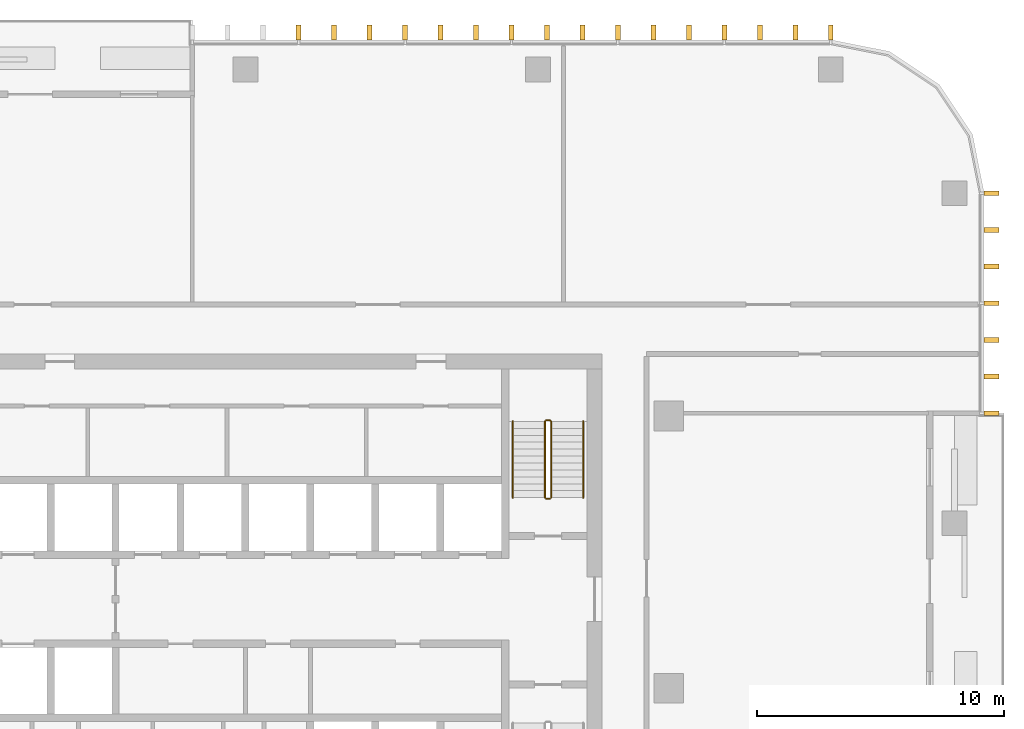
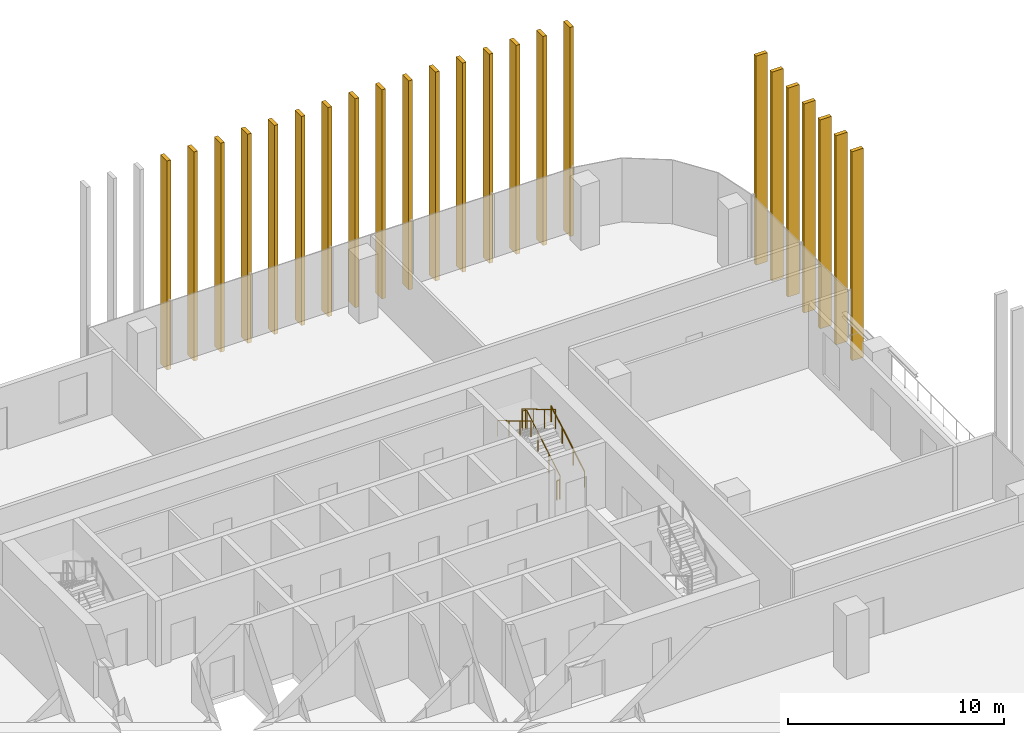
# One storey, part 16 of 16: 23 shading devices, 5 railings.
"""IFC4 building model written with IfcOpenShell, lengths in metres."""

from ifc_helpers import new_model, si_unit, direction, frame, origin, origin_2d, place, context, subcontext, project, spatial, rectangle, circle, extrude, material, type_object, element, save


model = new_model("IFC4")

# Units and contexts
model_context = context("Model", 3, precision=1e-05, world=origin(), true_north=direction((0.0, 1.0)))
body_context = subcontext(model_context, "Body", "Model", "MODEL_VIEW")
ifc_project = project(units=[si_unit("LENGTHUNIT", "METRE"), si_unit("AREAUNIT", "SQUARE_METRE"), si_unit("VOLUMEUNIT", "CUBIC_METRE"), si_unit("PLANEANGLEUNIT", "RADIAN"), si_unit("MASSUNIT", "GRAM", prefix="KILO")], contexts=[model_context])

# Site, building, storey
site_placement = place(None, origin())
site = spatial("IfcSite", under=ifc_project, at=site_placement, CompositionType="ELEMENT")
building_placement = place(site_placement, origin())
building = spatial("IfcBuilding", under=site, at=building_placement, Name="Mopane Tessera Tower", CompositionType="ELEMENT")
storey_placement = place(building_placement, frame((0.0, 0.0, 303.39990234375)))
storey = spatial("IfcBuildingStorey", under=building, at=storey_placement, Name="L66", CompositionType="ELEMENT", Elevation=303.39990234375)

# Shading devices
ifc_material_1 = material(Name="Glazed ceramic tile")
shading_device_type = type_object("IfcShadingDeviceType", Name="Ceramic tile fin 600 x 200 mm", PredefinedType="USERDEFINED", material=ifc_material_1)
for number, where, z_axis, x_axis, name in (
    (1, (30.14990234375, 11.111083984375, -0.39990234375), (0.0, 0.0, 1.0), (0.0, 1.0, 0.0), "e:fin:L66:E:7:0"),
    (2, (30.14990234375, 12.592529296875, -0.39990234375), (0.0, 0.0, 1.0), (0.0, 1.0, 0.0), "e:fin:L66:E:7:1"),
    (3, (30.14990234375, 14.073974609375, -0.39990234375), (0.0, 0.0, 1.0), (0.0, 1.0, 0.0), "e:fin:L66:E:7:2"),
    (4, (30.14990234375, 15.5556640625, -0.39990234375), (0.0, 0.0, 1.0), (0.0, 1.0, 0.0), "e:fin:L66:E:8:0"),
    (5, (30.14990234375, 17.037109375, -0.39990234375), (0.0, 0.0, 1.0), (0.0, 1.0, 0.0), "e:fin:L66:E:8:1"),
    (6, (30.14990234375, 18.5185546875, -0.39990234375), (0.0, 0.0, 1.0), (0.0, 1.0, 0.0), "e:fin:L66:E:8:2"),
    (7, (30.14990234375, 20.0, -0.39990234375), (0.0, 0.0, 1.0), (0.0, 1.0, 0.0), "e:fin:L66:E:8:3"),
    (8, (23.64990234375, 26.5, -0.39990234375), (0.0, 0.0, 1.0), (-1.0, 0.0, 0.0), "e:fin:L66:N:0:0"),
    (9, (22.216552734375, 26.5, -0.39990234375), (0.0, 0.0, 1.0), (-1.0, 0.0, 0.0), "e:fin:L66:N:0:1"),
    (10, (20.783447265625, 26.5, -0.39990234375), (0.0, 0.0, 1.0), (-1.0, 0.0, 0.0), "e:fin:L66:N:0:2"),
    (11, (19.35009765625, 26.5, -0.39990234375), (0.0, 0.0, 1.0), (-1.0, 0.0, 0.0), "e:fin:L66:N:1:0"),
    (12, (17.916748046875, 26.5, -0.39990234375), (0.0, 0.0, 1.0), (-1.0, 0.0, 0.0), "e:fin:L66:N:1:1"),
    (13, (16.4833984375, 26.5, -0.39990234375), (0.0, 0.0, 1.0), (-1.0, 0.0, 0.0), "e:fin:L66:N:1:2"),
    (14, (15.050048828125, 26.5, -0.39990234375), (0.0, 0.0, 1.0), (-1.0, 0.0, 0.0), "e:fin:L66:N:2:0"),
    (15, (13.61669921875, 26.5, -0.39990234375), (0.0, 0.0, 1.0), (-1.0, 0.0, 0.0), "e:fin:L66:N:2:1"),
    (16, (12.183349609375, 26.5, -0.39990234375), (0.0, 0.0, 1.0), (-1.0, 0.0, 0.0), "e:fin:L66:N:2:2"),
    (17, (10.75, 26.5, -0.39990234375), (0.0, 0.0, 1.0), (-1.0, 0.0, 0.0), "e:fin:L66:N:3:0"),
    (18, (9.316650390625, 26.5, -0.39990234375), (0.0, 0.0, 1.0), (-1.0, 0.0, 0.0), "e:fin:L66:N:3:1"),
    (19, (7.88330078125, 26.5, -0.39990234375), (0.0, 0.0, 1.0), (-1.0, 0.0, 0.0), "e:fin:L66:N:3:2"),
    (20, (6.449951171875, 26.5, -0.39990234375), (0.0, 0.0, 1.0), (-1.0, 0.0, 0.0), "e:fin:L66:N:4:0"),
    (21, (5.0166015625, 26.5, -0.39990234375), (0.0, 0.0, 1.0), (-1.0, 0.0, 0.0), "e:fin:L66:N:4:1"),
    (22, (3.583251953125, 26.5, -0.39990234375), (0.0, 0.0, 1.0), (-1.0, 0.0, 0.0), "e:fin:L66:N:4:2"),
    (23, (2.14990234375, 26.5, -0.39990234375), (0.0, 0.0, 1.0), (-1.0, 0.0, 0.0), "e:fin:L66:N:5:0"),
):
    element("IfcShadingDevice", number, at=place(storey_placement, frame(where, z_axis=z_axis, x_axis=x_axis)), inside=storey, type_object=shading_device_type, Name=name, ObjectType="FIN", PredefinedType="USERDEFINED", context=body_context, shape_type="SweptSolid", body=[
        extrude(rectangle(XDim=0.199951171875, YDim=0.60009765625, at=origin_2d()), origin(), (0.0, 0.0, 1.0), 11.800048828125),
    ])

# Railings
ifc_material_2 = material(Name="Powder-coated steel balustrade", Category="steel")
railing_type_1 = type_object("IfcRailingType", Name="Escape stair guard 1100 mm", PredefinedType="GUARDRAIL", material=ifc_material_2)
railing_1_placement = place(storey_placement, frame((12.35009765625, 7.699951171875, 0.166748046875)))
element("IfcRailing", 24, at=railing_1_placement, inside=storey, type_object=railing_type_1, Name="L66 ST4 stair guard 1", PredefinedType="GUARDRAIL", context=body_context, shape_type="SweptSolid", body=[
    extrude(circle(Radius=0.02392578125, at=origin_2d()), frame((0.0, 0.0, 1.076171875), z_axis=(0.0, 0.859308565015, 0.511457515432), x_axis=(-1.0, 0.0, 0.0)), (0.0, 0.0, 1.0), 3.58447265625),
    extrude(circle(Radius=0.02392578125, at=origin_2d()), frame((0.0, 3.080078125, 2.9091796875), z_axis=(-0.707106781187, 0.707106781187, 0.0), x_axis=(-0.707106781187, -0.707106781187, 0.0)), (0.0, 0.0, 1.0), 0.07080078125),
    extrude(circle(Radius=0.02392578125, at=origin_2d()), frame((-0.050048828125, 3.130126953125, 2.9091796875), z_axis=(-1.0, 0.0, 0.0), x_axis=(0.0, -1.0, 0.0)), (0.0, 0.0, 1.0), 0.150146484375),
    extrude(circle(Radius=0.02099609375, at=origin_2d()), origin(), (0.0, 0.0, 1.0), 1.052001953125),
    extrude(circle(Radius=0.02099609375, at=origin_2d()), frame((0.0, 1.026611328125, 0.611083984375)), (0.0, 0.0, 1.0), 1.052001953125),
    extrude(circle(Radius=0.02099609375, at=origin_2d()), frame((0.0, 2.053466796875, 1.22216796875)), (0.0, 0.0, 1.0), 1.052001953125),
    extrude(circle(Radius=0.02099609375, at=origin_2d()), frame((0.0, 3.080078125, 1.833251953125)), (0.0, 0.0, 1.0), 1.052001953125),
    extrude(circle(Radius=0.02099609375, at=origin_2d()), frame((-0.050048828125, 3.130126953125, 1.833251953125)), (0.0, 0.0, 1.0), 1.052001953125),
    extrude(circle(Radius=0.02099609375, at=origin_2d()), frame((-0.2001953125, 3.130126953125, 1.833251953125)), (0.0, 0.0, 1.0), 1.052001953125),
])
railing_2_placement = place(storey_placement, frame((12.10009765625, 10.780029296875, 2.166748046875)))
element("IfcRailing", 25, at=railing_2_placement, inside=storey, type_object=railing_type_1, Name="L66 ST4 stair guard 2", PredefinedType="GUARDRAIL", context=body_context, shape_type="SweptSolid", body=[
    extrude(circle(Radius=0.02392578125, at=origin_2d()), frame((0.0, 0.0, 1.076171875), z_axis=(0.0, -0.859308565015, 0.511457515432), x_axis=(1.0, 0.0, 0.0)), (0.0, 0.0, 1.0), 3.58447265625),
    extrude(circle(Radius=0.02099609375, at=origin_2d()), origin(), (0.0, 0.0, 1.0), 1.052001953125),
    extrude(circle(Radius=0.02099609375, at=origin_2d()), frame((0.0, -1.026611328125, 0.611083984375)), (0.0, 0.0, 1.0), 1.052001953125),
    extrude(circle(Radius=0.02099609375, at=origin_2d()), frame((0.0, -2.053466796875, 1.22216796875)), (0.0, 0.0, 1.0), 1.052001953125),
    extrude(circle(Radius=0.02099609375, at=origin_2d()), frame((0.0, -3.080078125, 1.833251953125)), (0.0, 0.0, 1.0), 1.052001953125),
])
railing_3_placement = place(storey_placement, frame((12.300048828125, 7.64990234375, 0.0)))
element("IfcRailing", 26, at=railing_3_placement, inside=storey, type_object=railing_type_1, Name="L66 ST4 stair guard 3", PredefinedType="GUARDRAIL", context=body_context, shape_type="SweptSolid", body=[
    extrude(circle(Radius=0.02392578125, at=origin_2d()), frame((0.0, 0.0, 1.076171875), z_axis=(-1.0, 0.0, 0.0), x_axis=(0.0, -1.0, 0.0)), (0.0, 0.0, 1.0), 0.150146484375),
    extrude(circle(Radius=0.02099609375, at=origin_2d()), origin(), (0.0, 0.0, 1.0), 1.052001953125),
    extrude(circle(Radius=0.02099609375, at=origin_2d()), frame((-0.150146484375, 0.0, 0.0)), (0.0, 0.0, 1.0), 1.052001953125),
])
ifc_material_3 = material(Name="Powder-coated steel balustrade", Category="steel")
railing_type_2 = type_object("IfcRailingType", Name="Escape stair handrail 900 mm", PredefinedType="HANDRAIL", material=ifc_material_3)
railing_4_placement = place(storey_placement, frame((13.64990234375, 7.699951171875, 0.166748046875)))
element("IfcRailing", 27, at=railing_4_placement, inside=storey, type_object=railing_type_2, Name="L66 ST4 stair handrail 1", PredefinedType="HANDRAIL", context=body_context, shape_type="SweptSolid", body=[
    extrude(circle(Radius=0.02392578125, at=origin_2d()), frame((0.0, 0.0, 0.8759765625), z_axis=(0.0, 0.859308565015, 0.511457515432), x_axis=(-1.0, 0.0, 0.0)), (0.0, 0.0, 1.0), 3.58447265625),
    extrude(circle(Radius=0.02099609375, at=origin_2d()), origin(), (0.0, 0.0, 1.0), 0.851806640625),
    extrude(circle(Radius=0.02099609375, at=origin_2d()), frame((0.0, 1.026611328125, 0.611083984375)), (0.0, 0.0, 1.0), 0.851806640625),
    extrude(circle(Radius=0.02099609375, at=origin_2d()), frame((0.0, 2.053466796875, 1.22216796875)), (0.0, 0.0, 1.0), 0.851806640625),
    extrude(circle(Radius=0.02099609375, at=origin_2d()), frame((0.0, 3.080078125, 1.833251953125)), (0.0, 0.0, 1.0), 0.851806640625),
])
railing_5_placement = place(storey_placement, frame((10.800048828125, 10.780029296875, 2.166748046875)))
element("IfcRailing", 28, at=railing_5_placement, inside=storey, type_object=railing_type_2, Name="L66 ST4 stair handrail 2", PredefinedType="HANDRAIL", context=body_context, shape_type="SweptSolid", body=[
    extrude(circle(Radius=0.02392578125, at=origin_2d()), frame((0.0, 0.0, 0.8759765625), z_axis=(0.0, -0.859308565015, 0.511457515432), x_axis=(1.0, 0.0, 0.0)), (0.0, 0.0, 1.0), 3.58447265625),
    extrude(circle(Radius=0.02099609375, at=origin_2d()), origin(), (0.0, 0.0, 1.0), 0.851806640625),
    extrude(circle(Radius=0.02099609375, at=origin_2d()), frame((0.0, -1.026611328125, 0.611083984375)), (0.0, 0.0, 1.0), 0.851806640625),
    extrude(circle(Radius=0.02099609375, at=origin_2d()), frame((0.0, -2.053466796875, 1.22216796875)), (0.0, 0.0, 1.0), 0.851806640625),
    extrude(circle(Radius=0.02099609375, at=origin_2d()), frame((0.0, -3.080078125, 1.833251953125)), (0.0, 0.0, 1.0), 0.851806640625),
])

save(model, "model.ifc")
